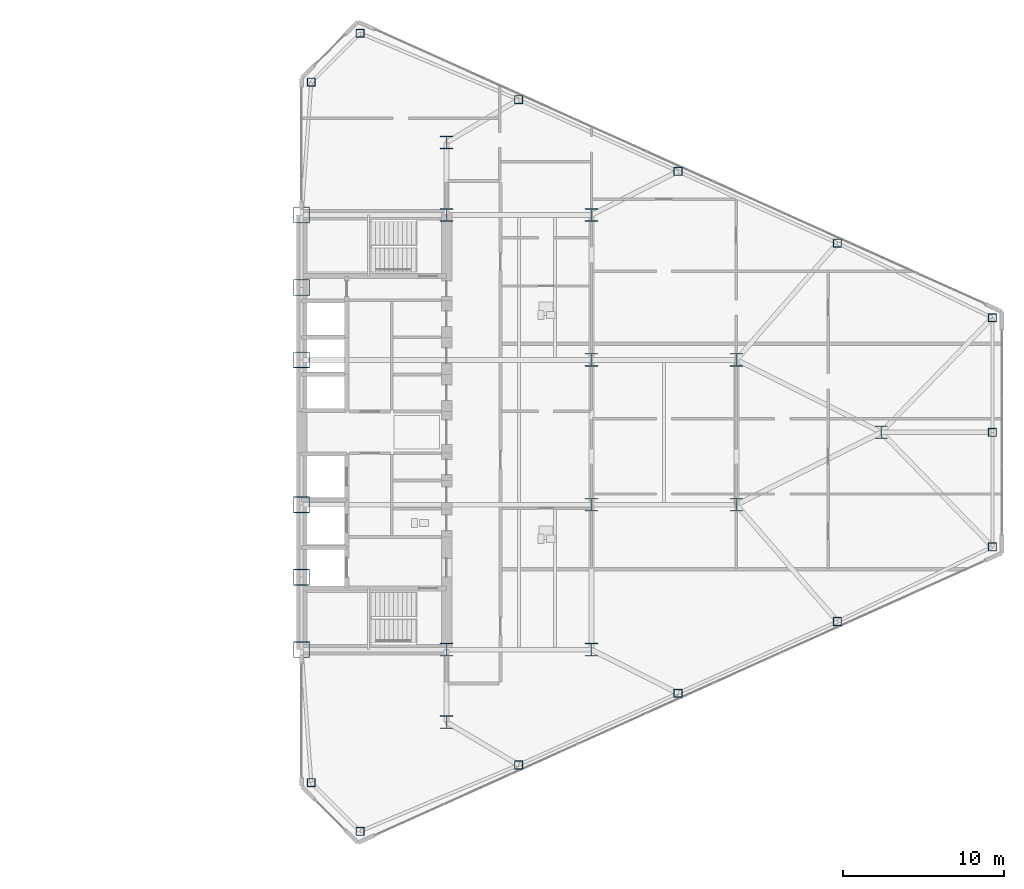
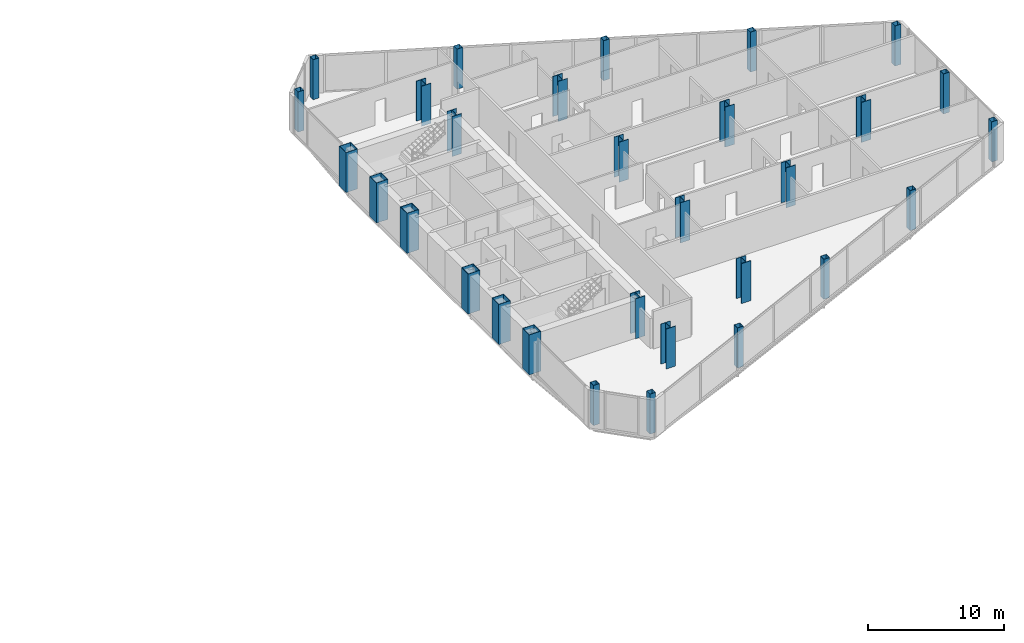
# One storey, part 2 of 27: 30 columns.
"""IFC4 building model written with IfcOpenShell, lengths in metres."""

from ifc_helpers import new_model, si_unit, direction, frame, origin, origin_2d, place, context, subcontext, project, spatial, hollow_rectangle, i_section, extrude, source, transform, mapped, material, material_profile, profile_set, type_object, type_shapes, element, save


model = new_model("IFC4")

# Units and contexts
model_context = context("Model", 3, precision=1e-05, world=origin(), true_north=direction((0.0, 1.0)))
body_context = subcontext(model_context, "Body", "Model", "MODEL_VIEW")
ifc_project = project(units=[si_unit("LENGTHUNIT", "METRE"), si_unit("AREAUNIT", "SQUARE_METRE"), si_unit("VOLUMEUNIT", "CUBIC_METRE"), si_unit("PLANEANGLEUNIT", "RADIAN"), si_unit("MASSUNIT", "GRAM", prefix="KILO")], contexts=[model_context])

# Site, building, storey
site_placement = place(None, origin())
site = spatial("IfcSite", under=ifc_project, at=site_placement, CompositionType="ELEMENT")
building_placement = place(site_placement, origin())
building = spatial("IfcBuilding", under=site, at=building_placement, Name="Seokmaru Belvedere", CompositionType="ELEMENT")
storey_placement = place(building_placement, frame((0.0, 0.0, 76.5)))
storey = spatial("IfcBuildingStorey", under=building, at=storey_placement, Name="L20", CompositionType="ELEMENT", Elevation=76.5)

# Columns
ifc_material_1 = material(Name="Steel SM355 (355 MPa)", Category="steel")
ifc_material_profile_1 = material_profile(ifc_material_1, hollow_rectangle(XDim=0.5, YDim=0.5, WallThickness=0.02001953125, at=origin_2d()), Name="HSS-500x500x20")
ifc_profile_set_1 = profile_set([ifc_material_profile_1], Name="Steel SM355 (355 MPa)")
column_type_1 = type_object("IfcColumnType", Name="Perimeter Facet Column HSS-500", PredefinedType="COLUMN", material=ifc_profile_set_1)
shared_shape_1 = source(origin(), body_context, "Body", "SweptSolid", [
    extrude(hollow_rectangle(XDim=0.5, YDim=0.5, WallThickness=0.02001953125, at=origin_2d()), origin(), (0.0, 0.0, 1.0), 3.60009765625),
])
type_shapes(column_type_1, [shared_shape_1])
for number, where, z_axis, x_axis, name in (
    (1, (31.13134765625, -24.782958984375, 0.0), (0.0, 0.0, 1.0), (1.0, 0.0, 0.0), "L20 Column EF1"),
    (2, (70.39990234375, -7.112060546875, 0.0), (0.0, 0.0, 1.0), (1.0, 0.0, 0.0), "L20 Column EF2"),
    (3, (70.39990234375, 7.112060546875, 0.0), (0.0, 0.0, 1.0), (1.0, 0.0, 0.0), "L20 Column EF3"),
    (4, (31.13134765625, 24.782958984375, 0.0), (0.0, 0.0, 1.0), (1.0, 0.0, 0.0), "L20 Column EF4"),
    (5, (28.10009765625, 21.75146484375, 0.0), (0.0, 0.0, 1.0), (1.0, 0.0, 0.0), "L20 Column EF5"),
    (6, (28.10009765625, -21.75146484375, 0.0), (0.0, 0.0, 1.0), (1.0, 0.0, 0.0), "L20 Column EF6"),
    (7, (40.97265625, -20.661376953125, 0.0), (0.0, 0.0, 1.0), (1.0, 0.0, 0.0), "L20 Column EFLK_S1"),
    (8, (50.875, -16.205322265625, 0.0), (0.0, 0.0, 1.0), (1.0, 0.0, 0.0), "L20 Column EFLK_S2"),
    (9, (60.777587890625, -11.749267578125, 0.0), (0.0, 0.0, 1.0), (1.0, 0.0, 0.0), "L20 Column EFLK_S3"),
    (10, (40.97265625, 20.661376953125, 0.0), (0.0, 0.0, 1.0), (1.0, 0.0, 0.0), "L20 Column EFLK_N1"),
    (11, (50.875, 16.205322265625, 0.0), (0.0, 0.0, 1.0), (1.0, 0.0, 0.0), "L20 Column EFLK_N2"),
    (12, (60.777587890625, 11.749267578125, 0.0), (0.0, 0.0, 1.0), (1.0, 0.0, 0.0), "L20 Column EFLK_N3"),
    (13, (70.39990234375, 0.0, 0.0), (0.0, 0.0, 1.0), (1.0, 0.0, 0.0), "L20 Column EF_APXM"),
):
    element("IfcColumn", number, at=place(storey_placement, frame(where, z_axis=z_axis, x_axis=x_axis)), inside=storey, type_object=column_type_1, Name=name, PredefinedType="COLUMN", context=body_context, shape_type="MappedRepresentation", body=[
        mapped(shared_shape_1, transform((0.0, 0.0, 0.0), scale=1.0)),
    ])
ifc_material_2 = material(Name="Steel HSA650 (650 MPa)", Category="steel")
ifc_material_profile_2 = material_profile(ifc_material_2, hollow_rectangle(XDim=1.0, YDim=1.0, WallThickness=0.0419921875, at=origin_2d()), Name="BOX-1000x1000x42")
ifc_profile_set_2 = profile_set([ifc_material_profile_2], Name="Steel HSA650 (650 MPa)")
column_type_2 = type_object("IfcColumnType", Name="Portal Spine Column BOX-1000", PredefinedType="COLUMN", material=ifc_profile_set_2)
shared_shape_2 = source(origin(), body_context, "Body", "SweptSolid", [
    extrude(hollow_rectangle(XDim=1.0, YDim=1.0, WallThickness=0.0419921875, at=origin_2d()), origin(), (0.0, 0.0, 1.0), 3.60009765625),
])
type_shapes(column_type_2, [shared_shape_2])
for number, where, z_axis, x_axis, name in (
    (14, (27.5, -13.5, 0.0), (0.0, 0.0, 1.0), (1.0, 0.0, 0.0), "L20 Column ES1"),
    (15, (27.5, -9.0, 0.0), (0.0, 0.0, 1.0), (1.0, 0.0, 0.0), "L20 Column ES2"),
    (16, (27.5, -4.5, 0.0), (0.0, 0.0, 1.0), (1.0, 0.0, 0.0), "L20 Column ES3"),
    (17, (27.5, 4.5, 0.0), (0.0, 0.0, 1.0), (1.0, 0.0, 0.0), "L20 Column ES4"),
    (18, (27.5, 9.0, 0.0), (0.0, 0.0, 1.0), (1.0, 0.0, 0.0), "L20 Column ES5"),
    (19, (27.5, 13.5, 0.0), (0.0, 0.0, 1.0), (1.0, 0.0, 0.0), "L20 Column ES6"),
):
    element("IfcColumn", number, at=place(storey_placement, frame(where, z_axis=z_axis, x_axis=x_axis)), inside=storey, type_object=column_type_2, Name=name, PredefinedType="COLUMN", context=body_context, shape_type="MappedRepresentation", body=[
        mapped(shared_shape_2, transform((0.0, 0.0, 0.0), scale=1.0)),
    ])
ifc_material_profile_3 = material_profile(ifc_material_1, i_section(OverallWidth=0.800048828125, OverallDepth=0.800048828125, WebThickness=0.031982421875, FlangeThickness=0.050048828125, at=origin_2d()), Name="H-800x800x32x50")
ifc_profile_set_3 = profile_set([ifc_material_profile_3], Name="Steel SM355 (355 MPa)")
column_type_3 = type_object("IfcColumnType", Name="Lower-Mid Interior Column H-800", PredefinedType="COLUMN", material=ifc_profile_set_3)
shared_shape_3 = source(origin(), body_context, "Body", "SweptSolid", [
    extrude(i_section(OverallWidth=0.800048828125, OverallDepth=0.800048828125, WebThickness=0.031982421875, FlangeThickness=0.050048828125, at=origin_2d()), origin(), (0.0, 0.0, 1.0), 3.60009765625),
])
type_shapes(column_type_3, [shared_shape_3])
for number, where, z_axis, x_axis, name in (
    (20, (36.5, -18.0, 0.0), (0.0, 0.0, 1.0), (1.0, 0.0, 0.0), "L20 Column EC1"),
    (21, (36.5, -13.5, 0.0), (0.0, 0.0, 1.0), (1.0, 0.0, 0.0), "L20 Column EC2"),
    (22, (36.5, 13.5, 0.0), (0.0, 0.0, 1.0), (1.0, 0.0, 0.0), "L20 Column EC3"),
    (23, (36.5, 18.0, 0.0), (0.0, 0.0, 1.0), (1.0, 0.0, 0.0), "L20 Column EC4"),
    (24, (45.5, -13.5, 0.0), (0.0, 0.0, 1.0), (1.0, 0.0, 0.0), "L20 Column EG5_1"),
    (25, (45.5, -4.5, 0.0), (0.0, 0.0, 1.0), (1.0, 0.0, 0.0), "L20 Column EG5_2"),
    (26, (45.5, 4.5, 0.0), (0.0, 0.0, 1.0), (1.0, 0.0, 0.0), "L20 Column EG5_3"),
    (27, (45.5, 13.5, 0.0), (0.0, 0.0, 1.0), (1.0, 0.0, 0.0), "L20 Column EG5_4"),
    (28, (54.5, -4.5, 0.0), (0.0, 0.0, 1.0), (1.0, 0.0, 0.0), "L20 Column EG4P_1"),
    (29, (54.5, 4.5, 0.0), (0.0, 0.0, 1.0), (1.0, 0.0, 0.0), "L20 Column EG4P_2"),
    (30, (63.5, 0.0, 0.0), (0.0, 0.0, 1.0), (1.0, 0.0, 0.0), "L20 Column EG3P_1"),
):
    element("IfcColumn", number, at=place(storey_placement, frame(where, z_axis=z_axis, x_axis=x_axis)), inside=storey, type_object=column_type_3, Name=name, PredefinedType="COLUMN", context=body_context, shape_type="MappedRepresentation", body=[
        mapped(shared_shape_3, transform((0.0, 0.0, 0.0), scale=1.0)),
    ])

save(model, "model.ifc")
